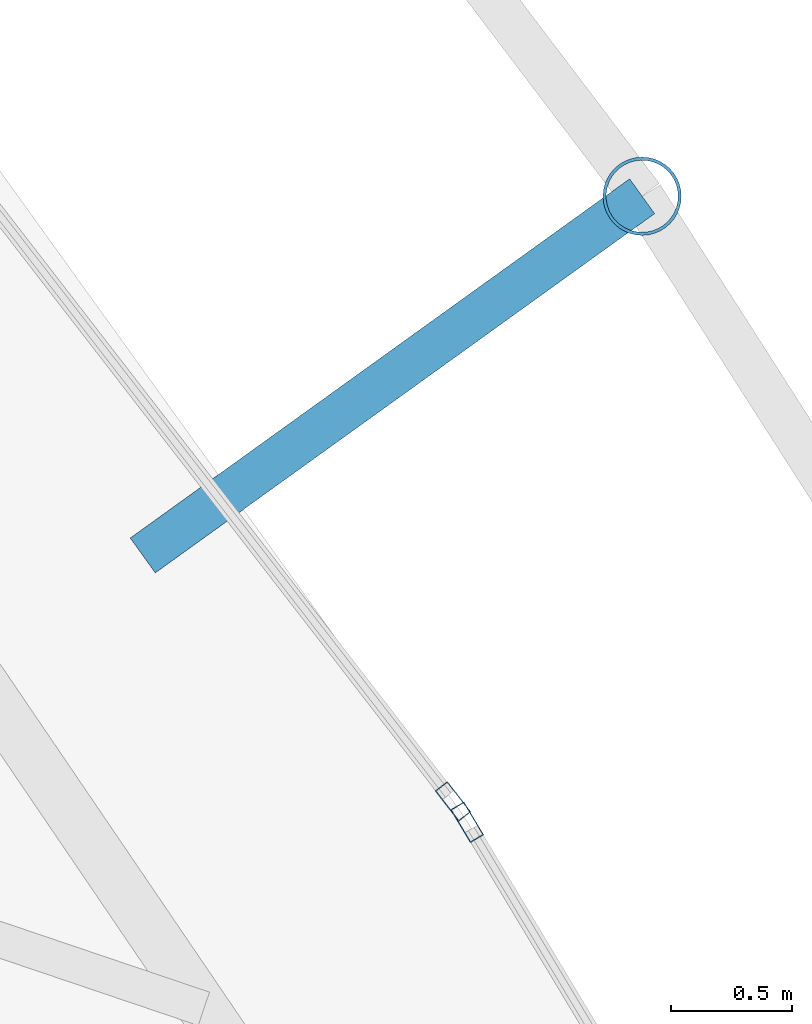
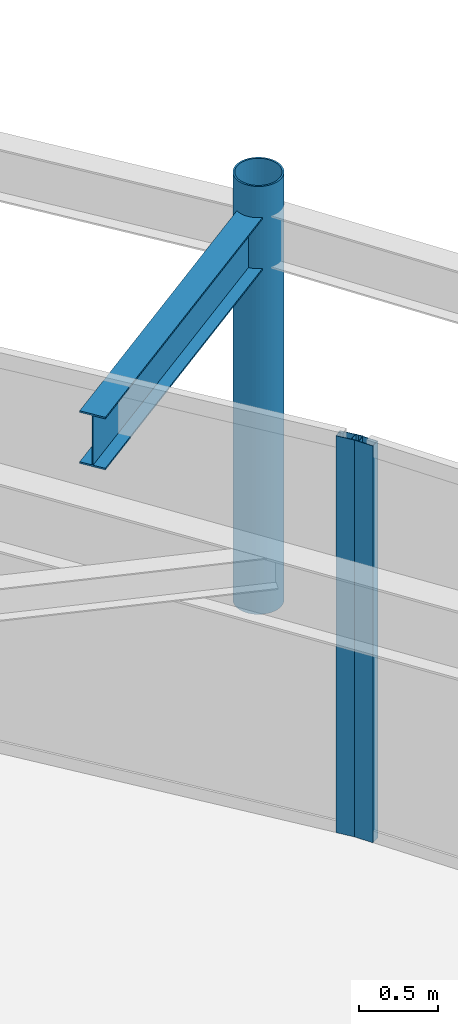
# One storey, part 19 of 30: 3 members, 1 beam, 2 elements without a shape of their own.
"""IFC4 building model written with IfcOpenShell, lengths in metres."""

from ifc_helpers import new_model, si_unit, direction, frame, origin, origin_2d, place, context, subcontext, project, spatial, hollow_rectangle, hollow_circle, i_section, extrude, material, layer, layer_set, material_profile, profile_set, type_object, element, aggregate, save


model = new_model("IFC4")

# Units and contexts
model_context = context("Model", 3, precision=1e-05, world=origin(), true_north=direction((0.0, 1.0)))
body_context = subcontext(model_context, "Body", "Model", "MODEL_VIEW")
ifc_project = project(units=[si_unit("LENGTHUNIT", "METRE"), si_unit("AREAUNIT", "SQUARE_METRE"), si_unit("VOLUMEUNIT", "CUBIC_METRE"), si_unit("PLANEANGLEUNIT", "RADIAN"), si_unit("MASSUNIT", "GRAM", prefix="KILO")], contexts=[model_context])

# Site, building, storey
site_placement = place(None, origin())
site = spatial("IfcSite", under=ifc_project, at=site_placement, CompositionType="ELEMENT")
building_placement = place(site_placement, origin())
building = spatial("IfcBuilding", under=site, at=building_placement, Name="Orvanel Arch Residences", CompositionType="ELEMENT")
storey_placement = place(building_placement, frame((0.0, 0.0, 270.050048828125)))
storey = spatial("IfcBuildingStorey", under=building, at=storey_placement, Name="L77", CompositionType="ELEMENT", Elevation=270.050048828125)

# Curtain wall, member
ifc_material_1 = material(Name="Bronze-anodised aluminium AA6063-T6", Category="aluminium")
ifc_layer = layer(ifc_material_1, 0.175048828125)
ifc_layer_set = layer_set([ifc_layer], Name="Bronze-anodised aluminium AA6063-T6")
curtain_wall_type = type_object("IfcCurtainWallType", Name="CW4-HI-SYS", PredefinedType="NOTDEFINED", material=ifc_layer_set)
curtain_wall_1_placement = place(storey_placement, origin())
curtain_wall_1 = element("IfcCurtainWall", 1, at=curtain_wall_1_placement, inside=storey, type_object=curtain_wall_type, Name="L77 CW4-HI-SYS Unitised Curtain Wall", PredefinedType="NOTDEFINED")
ifc_material_profile_1 = material_profile(ifc_material_1, hollow_rectangle(XDim=0.06494140625, YDim=0.159912109375, WallThickness=0.00390625, at=origin_2d()), Name="ALU160x65x4")
ifc_profile_set_1 = profile_set([ifc_material_profile_1], Name="Bronze-anodised aluminium AA6063-T6")
member_type_1 = type_object("IfcMemberType", Name="MUL-160x65", PredefinedType="MULLION", material=ifc_profile_set_1)
member_1_placement = place(storey_placement, frame((43.982666015625, 32.150146484375, 0.0), z_axis=(0.0, 0.0, 1.0), x_axis=(-0.857549798065, -0.514400956296, 0.0)))
member_1 = element("IfcMember", 2, at=member_1_placement, type_object=member_type_1, Name="CW-S4 mullion 2", PredefinedType="MULLION", context=body_context, shape_type="SweptSolid", body=[
    extrude(hollow_rectangle(XDim=0.06494140625, YDim=0.159912109375, WallThickness=0.00390625, at=origin_2d()), origin(), (0.0, 0.0, 1.0), 3.06005859375),
])
aggregate(curtain_wall_1, [member_1])

curtain_wall_2_placement = place(storey_placement, origin())
curtain_wall_2 = element("IfcCurtainWall", 3, at=curtain_wall_2_placement, inside=storey, type_object=curtain_wall_type, Name="L77 CW4-HI-SYS Unitised Curtain Wall", PredefinedType="NOTDEFINED")
member_2_placement = place(storey_placement, frame((43.924072265625, 32.23681640625, 0.0), z_axis=(0.0, 0.0, 1.0), x_axis=(-0.791013108385, -0.611799201016, 0.0)))
member_2 = element("IfcMember", 4, at=member_2_placement, type_object=member_type_1, Name="CW-S4 mullion 1", PredefinedType="MULLION", context=body_context, shape_type="SweptSolid", body=[
    extrude(hollow_rectangle(XDim=0.06494140625, YDim=0.159912109375, WallThickness=0.00390625, at=origin_2d()), origin(), (0.0, 0.0, 1.0), 3.06005859375),
])
aggregate(curtain_wall_2, [member_2])

# Beam
ifc_material_2 = material(Name="Structural steel AS/NZS 3679.1 Grade 300 (300 MPa)", Category="steel")
ifc_material_profile_2 = material_profile(ifc_material_2, i_section(OverallWidth=0.177978515625, OverallDepth=0.406005859375, WebThickness=0.0078125, FlangeThickness=0.0126953125, at=origin_2d()), Name="410UB59.7")
ifc_profile_set_2 = profile_set([ifc_material_profile_2], Name="Structural steel AS/NZS 3679.1 Grade 300 (300 MPa)")
beam_type = type_object("IfcBeamType", Name="OB-410UB-EXT", PredefinedType="SPANDREL", material=ifc_profile_set_2)
beam_placement = place(storey_placement, frame((42.637939453125, 33.256103515625, 2.85693359375), z_axis=(0.811801205994, 0.583933902035, 0.0), x_axis=(-0.583933902035, 0.811801205994, 0.0)))
element("IfcBeam", 5, at=beam_placement, inside=storey, type_object=beam_type, Name="L77 Outer Frame Radial Tie Beam 11", PredefinedType="SPANDREL", context=body_context, shape_type="SweptSolid", body=[
    extrude(i_section(OverallWidth=0.177978515625, OverallDepth=0.406005859375, WebThickness=0.0078125, FlangeThickness=0.0126953125, at=origin_2d()), origin(), (0.0, 0.0, 1.0), 2.550048828125),
])

# Member
ifc_material_3 = material(Name="Structural steel AS/NZS 1163 C350L0 (Grade 350)", Category="steel")
ifc_material_profile_3 = material_profile(ifc_material_3, hollow_circle(Radius=0.162109375, WallThickness=0.0126953125, at=origin_2d()), Name="CHS324x12.7")
ifc_profile_set_3 = profile_set([ifc_material_profile_3], Name="Structural steel AS/NZS 1163 C350L0 (Grade 350)")
member_type_2 = type_object("IfcMemberType", Name="ST-324CHS-EXT", PredefinedType="STRUT", material=ifc_profile_set_3)
member_3_placement = place(storey_placement, frame((44.7080078125, 34.7451171875, 0.0), z_axis=(0.0, 0.0, 1.0), x_axis=(1.0, 0.0, 0.0)))
element("IfcMember", 6, at=member_3_placement, inside=storey, type_object=member_type_2, Name="L77 Outer Perimeter Frame Post 11", PredefinedType="STRUT", context=body_context, shape_type="SweptSolid", body=[
    extrude(hollow_circle(Radius=0.162109375, WallThickness=0.0126953125, at=origin_2d()), origin(), (0.0, 0.0, 1.0), 3.300048828125),
])

save(model, "model.ifc")
